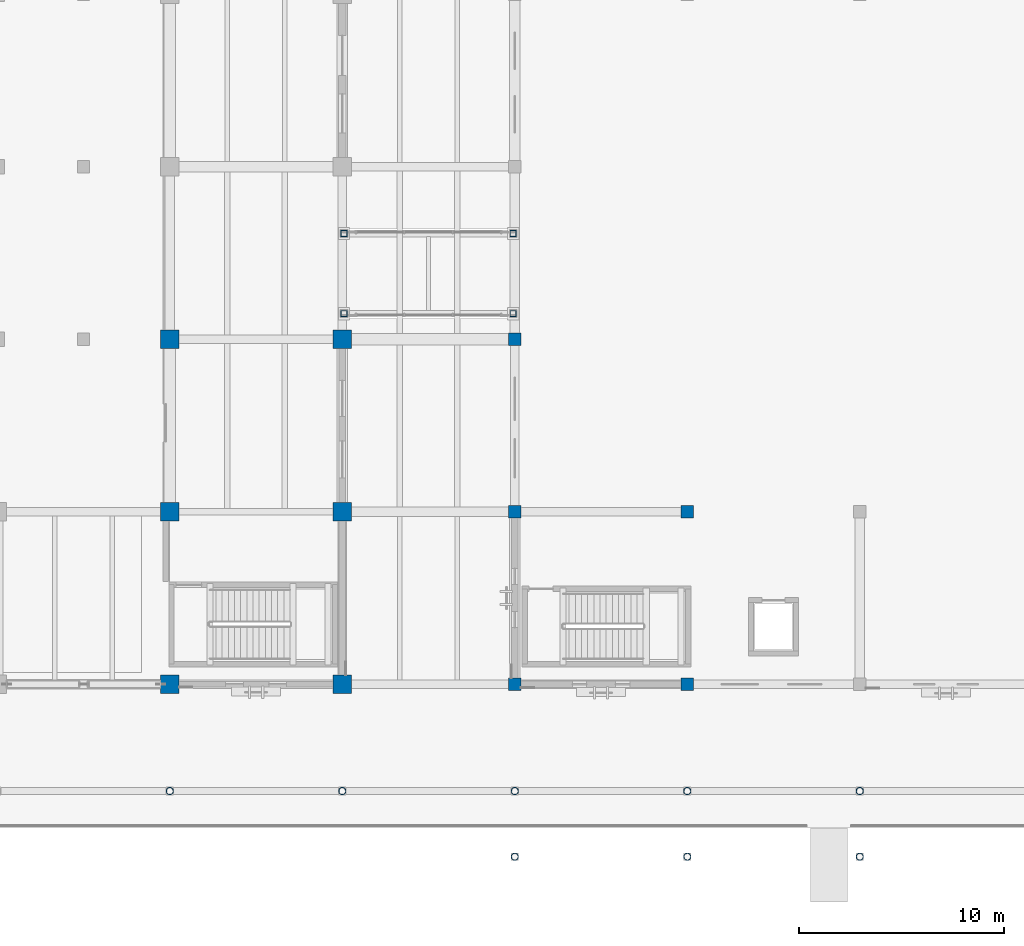
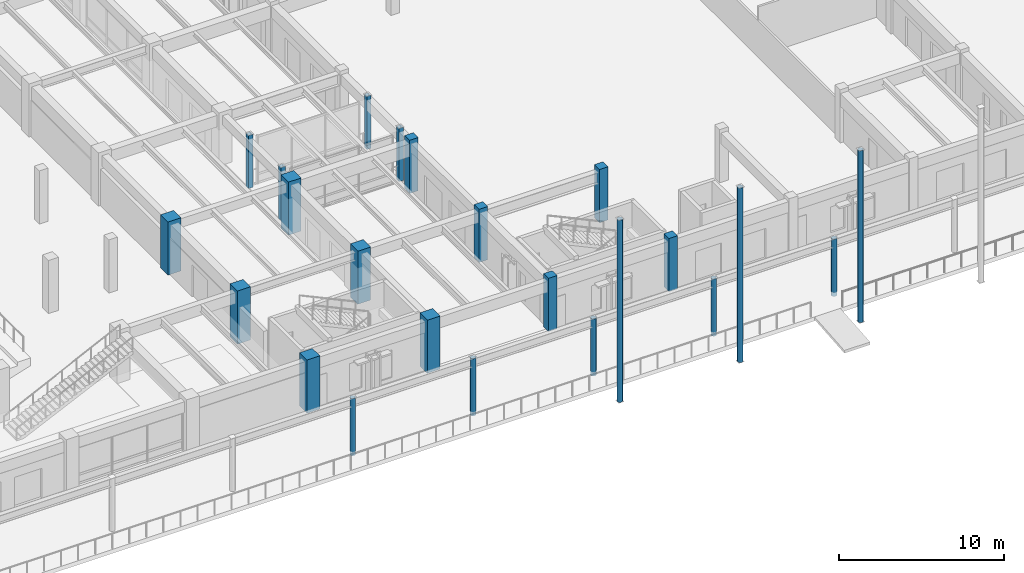
# One storey, part 5 of 135: 23 columns.
"""IFC4 building model written with IfcOpenShell, lengths in metres."""

import ifcopenshell
import ifcopenshell.guid

model = None  # the IFC model being written
_history = None  # IfcOwnerHistory: only IFC2X3 demands one
_inside = {}  # id of a spatial element -> (the spatial element, [elements in it])
_under = {}  # id of a project, library or spatial element -> (it, [spatial elements below it])
_declared = {}  # id of a project -> (the project, [libraries it declares])
_typed = {}  # id of a type object -> (the type object, [elements of that type])
_made_of = {}  # id of a material, layer set ... -> (it, [elements and type objects made of it])


def new_model(schema):
    """Start an empty IFC model of exactly this schema.

    Asked for "IFC4X3", IfcOpenShell would pick the latest addendum, in which some entities
    have other attributes; the version numbers below select the first issue.
    IFC2X3 requires an IfcOwnerHistory on every rooted entity: one is made here for all.
    """
    global model, _history
    if schema == "IFC4X3":
        model = ifcopenshell.file(schema_version=(4, 3, 0, 0))
    else:
        model = ifcopenshell.file(schema=schema)
    _inside.clear()
    _under.clear()
    _declared.clear()
    _typed.clear()
    _made_of.clear()
    _history = None
    if model.schema == "IFC2X3":
        org = make("IfcOrganization", Name="unknown")
        user = make(
            "IfcPersonAndOrganization",
            ThePerson=make("IfcPerson", FamilyName="unknown"),
            TheOrganization=org,
        )
        app = make(
            "IfcApplication",
            ApplicationDeveloper=org,
            Version="unknown",
            ApplicationFullName="unknown",
            ApplicationIdentifier="unknown",
        )
        _history = make(
            "IfcOwnerHistory",
            OwningUser=user,
            OwningApplication=app,
            ChangeAction="ADDED",
            CreationDate=0,
        )
    return model


def make(cls, **values):
    """One entity of the class cls with the attributes given. An attribute that is None is left unset."""
    return model.create_entity(
        cls, **{name: value for name, value in values.items() if value is not None}
    )


def rooted(cls, **values):
    """An entity with a GlobalId (a new one), such as an element, a storey or a relation."""
    return make(cls, GlobalId=ifcopenshell.guid.new(), OwnerHistory=_history, **values)


def si_unit(unit_type, name, prefix=None):
    """IfcSIUnit, for example si_unit("LENGTHUNIT", "METRE", prefix="MILLI")."""
    return make("IfcSIUnit", UnitType=unit_type, Prefix=prefix, Name=name)


def assignment(units):
    """IfcUnitAssignment: the units of a project."""
    return None if units is None else make("IfcUnitAssignment", Units=units)


def point(xyz):
    """IfcCartesianPoint."""
    return None if xyz is None else make("IfcCartesianPoint", Coordinates=xyz)


def direction(xyz):
    """IfcDirection."""
    return None if xyz is None else make("IfcDirection", DirectionRatios=xyz)


def frame(location, z_axis=None, x_axis=None):
    """IfcAxis2Placement3D, a coordinate frame: its origin and axes. An axis left out is left unset."""
    return make(
        "IfcAxis2Placement3D",
        Location=point(location),
        Axis=direction(z_axis),
        RefDirection=direction(x_axis),
    )


def frame_2d(location, x_axis=None):
    """IfcAxis2Placement2D, a coordinate frame in the plane: its origin and x axis."""
    return make(
        "IfcAxis2Placement2D", Location=point(location), RefDirection=direction(x_axis)
    )


def origin():
    """The frame at (0, 0, 0) with its axes left unset."""
    return frame((0.0, 0.0, 0.0))


def origin_2d():
    """The frame at (0, 0) in the plane with its x axis left unset."""
    return frame_2d((0.0, 0.0))


def place(relative_to, where):
    """IfcLocalPlacement: puts the frame where relative to a parent placement (None: the world)."""
    return make(
        "IfcLocalPlacement", PlacementRelTo=relative_to, RelativePlacement=where
    )


def context(
    kind, dimensions, precision=None, world=None, true_north=None, identifier=None
):
    """IfcGeometricRepresentationContext, for example the 3D "Model" context."""
    return make(
        "IfcGeometricRepresentationContext",
        ContextIdentifier=identifier,
        ContextType=kind,
        CoordinateSpaceDimension=dimensions,
        Precision=precision,
        WorldCoordinateSystem=world,
        TrueNorth=true_north,
    )


def subcontext(parent, identifier, kind, view, scale=None):
    """IfcGeometricRepresentationSubContext, for example "Body" below "Model"."""
    return make(
        "IfcGeometricRepresentationSubContext",
        ContextIdentifier=identifier,
        ContextType=kind,
        ParentContext=parent,
        TargetScale=scale,
        TargetView=view,
    )


def project(units=None, contexts=None):
    """IfcProject with its units and contexts."""
    return rooted(
        "IfcProject",
        Name="project",
        RepresentationContexts=contexts,
        UnitsInContext=assignment(units),
    )


def spatial(cls, under=None, at=None, **own):
    """A site, building, storey or space (cls), placed at a placement, below another one or the project."""
    s = rooted(cls, ObjectPlacement=at, **own)
    if under is not None:
        _under.setdefault(under.id(), (under, []))[1].append(s)
    return s


def profile(cls, at=None, kind="AREA", **sizes):
    """A parametric profile (cls). Its sizes go by their IFC names, for example OverallWidth=200.0."""
    return make(cls, ProfileType=kind, Position=at, **sizes)


def rectangle(**sizes):
    """IfcRectangleProfileDef."""
    return profile("IfcRectangleProfileDef", **sizes)


def hollow_rectangle(**sizes):
    """IfcRectangleHollowProfileDef."""
    return profile("IfcRectangleHollowProfileDef", **sizes)


def hollow_circle(**sizes):
    """IfcCircleHollowProfileDef."""
    return profile("IfcCircleHollowProfileDef", **sizes)


def extrude(swept, where, along, depth):
    """IfcExtrudedAreaSolid: the profile swept, set in the frame where, extruded along a direction by depth."""
    return make(
        "IfcExtrudedAreaSolid",
        SweptArea=swept,
        Position=where,
        ExtrudedDirection=direction(along),
        Depth=depth,
    )


def shape(context_of_items, identifier, shape_type, items):
    """IfcShapeRepresentation: the items that make up one representation, for example the "Body"."""
    return make(
        "IfcShapeRepresentation",
        ContextOfItems=context_of_items,
        RepresentationIdentifier=identifier,
        RepresentationType=shape_type,
        Items=items,
    )


def material(Name=None, Category=None):
    """IfcMaterial."""
    return make("IfcMaterial", Name=Name, Category=Category)


def material_profile(
    of_material, cross_section, Name=None, Category=None, Priority=None
):
    """IfcMaterialProfile: a cross section and its material."""
    return make(
        "IfcMaterialProfile",
        Name=Name,
        Material=of_material,
        Profile=cross_section,
        Priority=Priority,
        Category=Category,
    )


def profile_set(profiles, Name=None, composite=None):
    """IfcMaterialProfileSet."""
    return make(
        "IfcMaterialProfileSet",
        Name=Name,
        MaterialProfiles=profiles,
        CompositeProfile=composite,
    )


def made_of(thing, what):
    """Note that an element or type object is made of a material, layer set ...; save() writes the relation."""
    if what is not None:
        _made_of.setdefault(what.id(), (what, []))[1].append(thing)
    return thing


def type_object(cls, material=None, **own):
    """A type object (cls), such as IfcWallType, which elements share."""
    return made_of(rooted(cls, **own), material)


def element(
    cls,
    number,
    at=None,
    inside=None,
    cuts=None,
    type_object=None,
    material=None,
    context=None,
    identifier="Body",
    shape_type=None,
    held_by="IfcProductDefinitionShape",
    body=None,
    shapes=None,
    **own,
):
    """One element of the class cls, such as IfcWall. Its Tag is "e" and its number.

    at: its placement. inside: the storey or other place that contains it. cuts: it is an
    opening in that element (IfcRelVoidsElement). A single representation is given by context,
    identifier, shape_type and body (its items); several are given by shapes. held_by: the class
    of the entity that holds the representations. save() writes the other relations.
    """
    e = rooted(cls, Tag="e%d" % number, ObjectPlacement=at, **own)
    if body is not None:
        shapes = [shape(context, identifier, shape_type, body)]
    if shapes is not None:
        e.Representation = make(held_by, Representations=shapes)
    if inside is not None:
        _inside.setdefault(inside.id(), (inside, []))[1].append(e)
    if cuts is not None:
        rooted(
            "IfcRelVoidsElement", RelatingBuildingElement=cuts, RelatedOpeningElement=e
        )
    if type_object is not None:
        _typed.setdefault(type_object.id(), (type_object, []))[1].append(e)
    return made_of(e, material)


def aggregate(whole, parts):
    """IfcRelAggregates: a whole, such as a stair, and the parts it consists of."""
    return rooted("IfcRelAggregates", RelatingObject=whole, RelatedObjects=parts)


def save(model, path):
    """Write the relations noted so far, then the file.

    IfcRelAggregates (storeys below a building ...), IfcRelContainedInSpatialStructure (elements
    in a storey), IfcRelDefinesByType, IfcRelAssociatesMaterial and IfcRelDeclares: one each for
    every whole, place, type object, material and project.
    """
    for whole, parts in _under.values():
        aggregate(whole, parts)
    for where, things in _inside.values():
        rooted(
            "IfcRelContainedInSpatialStructure",
            RelatedElements=things,
            RelatingStructure=where,
        )
    for kind, things in _typed.values():
        rooted("IfcRelDefinesByType", RelatedObjects=things, RelatingType=kind)
    for what, things in _made_of.values():
        rooted("IfcRelAssociatesMaterial", RelatedObjects=things, RelatingMaterial=what)
    for by, libraries in _declared.values():
        rooted("IfcRelDeclares", RelatingContext=by, RelatedDefinitions=libraries)
    model.write(path)


model = new_model("IFC4")

# Units and contexts
model_context = context("Model", 3, precision=1e-05, world=origin(), true_north=direction((0.0, 1.0)))
body_context = subcontext(model_context, "Body", "Model", "MODEL_VIEW")
ifc_project = project(units=[si_unit("LENGTHUNIT", "METRE"), si_unit("AREAUNIT", "SQUARE_METRE"), si_unit("VOLUMEUNIT", "CUBIC_METRE"), si_unit("PLANEANGLEUNIT", "RADIAN"), si_unit("MASSUNIT", "GRAM", prefix="KILO")], contexts=[model_context])

# Site, building, storey
site_placement = place(None, origin())
site = spatial("IfcSite", under=ifc_project, at=site_placement, CompositionType="ELEMENT")
building_placement = place(site_placement, origin())
building = spatial("IfcBuilding", under=site, at=building_placement, Name="Cumbredor Promenade Congress Hotel", CompositionType="ELEMENT")
storey_placement = place(building_placement, origin())
storey = spatial("IfcBuildingStorey", under=building, at=storey_placement, Name="L00", CompositionType="ELEMENT", Elevation=0.0)

# Columns
ifc_material_1 = material(Name="Concrete C40/50", Category="concrete")
ifc_material_profile_1 = material_profile(ifc_material_1, rectangle(XDim=0.60009765625, YDim=0.60009765625, at=origin_2d()), Name="RC 600x600")
ifc_profile_set_1 = profile_set([ifc_material_profile_1], Name="Concrete C40/50")
column_type_1 = type_object("IfcColumnType", Name="COL-RC-600", PredefinedType="COLUMN", material=ifc_profile_set_1)
for number, where, z_axis, x_axis, name in (
    (1, (75.60009765625, 8.39990234375, 0.0), (0.0, 0.0, 1.0), (1.0, 0.0, 0.0), "L00 Structural Column 091"),
    (2, (75.60009765625, 16.800048828125, 0.0), (0.0, 0.0, 1.0), (1.0, 0.0, 0.0), "L00 Structural Column 092"),
    (3, (75.60009765625, 25.199951171875, 0.0), (0.0, 0.0, 1.0), (1.0, 0.0, 0.0), "L00 Structural Column 093"),
    (4, (84.0, 8.39990234375, 0.0), (0.0, 0.0, 1.0), (1.0, 0.0, 0.0), "L00 Structural Column 102"),
    (5, (84.0, 16.800048828125, 0.0), (0.0, 0.0, 1.0), (1.0, 0.0, 0.0), "L00 Structural Column 103"),
):
    element("IfcColumn", number, at=place(storey_placement, frame(where, z_axis=z_axis, x_axis=x_axis)), inside=storey, type_object=column_type_1, Name=name, PredefinedType="COLUMN", context=body_context, shape_type="SweptSolid", body=[
        extrude(rectangle(XDim=0.60009765625, YDim=0.60009765625, at=origin_2d()), origin(), (0.0, 0.0, 1.0), 3.919921875),
    ])
ifc_material_2 = material(Name="Concrete C50/60", Category="concrete")
ifc_material_profile_2 = material_profile(ifc_material_2, rectangle(XDim=0.89990234375, YDim=0.89990234375, at=origin_2d()), Name="RC 900x900")
ifc_profile_set_2 = profile_set([ifc_material_profile_2], Name="Concrete C50/60")
column_type_2 = type_object("IfcColumnType", Name="COL-RC-900", PredefinedType="COLUMN", material=ifc_profile_set_2)
for number, where, z_axis, x_axis, name in (
    (6, (58.800048828125, 8.39990234375, 0.0), (0.0, 0.0, 1.0), (1.0, 0.0, 0.0), "L00 Structural Column 065"),
    (7, (58.800048828125, 16.800048828125, 0.0), (0.0, 0.0, 1.0), (1.0, 0.0, 0.0), "L00 Structural Column 066"),
    (8, (58.800048828125, 25.199951171875, 0.0), (0.0, 0.0, 1.0), (1.0, 0.0, 0.0), "L00 Structural Column 067"),
    (9, (67.199951171875, 8.39990234375, 0.0), (0.0, 0.0, 1.0), (1.0, 0.0, 0.0), "L00 Structural Column 078"),
    (10, (67.199951171875, 16.800048828125, 0.0), (0.0, 0.0, 1.0), (1.0, 0.0, 0.0), "L00 Structural Column 079"),
    (11, (67.199951171875, 25.199951171875, 0.0), (0.0, 0.0, 1.0), (1.0, 0.0, 0.0), "L00 Structural Column 080"),
):
    element("IfcColumn", number, at=place(storey_placement, frame(where, z_axis=z_axis, x_axis=x_axis)), inside=storey, type_object=column_type_2, Name=name, PredefinedType="COLUMN", context=body_context, shape_type="SweptSolid", body=[
        extrude(rectangle(XDim=0.89990234375, YDim=0.89990234375, at=origin_2d()), origin(), (0.0, 0.0, 1.0), 3.919921875),
    ])
ifc_material_3 = material(Name="Steel ASTM A500 Grade C", Category="steel")
ifc_material_profile_3 = material_profile(ifc_material_3, hollow_circle(Radius=0.177734375, WallThickness=0.01611328125, at=origin_2d()), Name="CHS 355.6x16")
ifc_profile_set_3 = profile_set([ifc_material_profile_3], Name="Steel ASTM A500 Grade C")
column_type_3 = type_object("IfcColumnType", Name="COL-STL-CHS355", PredefinedType="COLUMN", material=ifc_profile_set_3)
for number, where, z_axis, x_axis, name in (
    (12, (58.800048828125, 3.199951171875, -0.300048828125), (0.0, 0.0, 1.0), (1.0, 0.0, 0.0), "Promenade Colonnade Column TC-015"),
    (13, (67.199951171875, 3.199951171875, -0.300048828125), (0.0, 0.0, 1.0), (1.0, 0.0, 0.0), "Promenade Colonnade Column TC-016"),
    (14, (75.60009765625, 3.199951171875, -0.300048828125), (0.0, 0.0, 1.0), (1.0, 0.0, 0.0), "Promenade Colonnade Column TC-017"),
    (15, (84.0, 3.199951171875, -0.300048828125), (0.0, 0.0, 1.0), (1.0, 0.0, 0.0), "Promenade Colonnade Column TC-018"),
    (16, (92.39990234375, 3.199951171875, -0.300048828125), (0.0, 0.0, 1.0), (1.0, 0.0, 0.0), "Promenade Colonnade Column TC-019"),
):
    element("IfcColumn", number, at=place(storey_placement, frame(where, z_axis=z_axis, x_axis=x_axis)), inside=storey, type_object=column_type_3, Name=name, PredefinedType="COLUMN", context=body_context, shape_type="SweptSolid", body=[
        extrude(hollow_circle(Radius=0.177734375, WallThickness=0.01611328125, at=origin_2d()), origin(), (0.0, 0.0, 1.0), 4.219970703125),
    ])
column_1_placement = place(storey_placement, frame((75.60009765625, 0.0, -0.300048828125), z_axis=(0.0, 0.0, 1.0), x_axis=(1.0, 0.0, 0.0)))
element("IfcColumn", 17, at=column_1_placement, inside=storey, type_object=column_type_3, Name="Thermal Spa and Hydrotherapy Pavilion Slim Overhang Pavilion Column 01", PredefinedType="COLUMN", context=body_context, shape_type="SweptSolid", body=[
    extrude(hollow_circle(Radius=0.177734375, WallThickness=0.01611328125, at=origin_2d()), origin(), (0.0, 0.0, 1.0), 13.451171875),
])
column_2_placement = place(storey_placement, frame((84.0, 0.0, -0.300048828125), z_axis=(0.0, 0.0, 1.0), x_axis=(1.0, 0.0, 0.0)))
element("IfcColumn", 18, at=column_2_placement, inside=storey, type_object=column_type_3, Name="Thermal Spa and Hydrotherapy Pavilion Slim Overhang Pavilion Column 02", PredefinedType="COLUMN", context=body_context, shape_type="SweptSolid", body=[
    extrude(hollow_circle(Radius=0.177734375, WallThickness=0.01611328125, at=origin_2d()), origin(), (0.0, 0.0, 1.0), 12.88037109375),
])
column_3_placement = place(storey_placement, frame((92.39990234375, 0.0, -0.300048828125), z_axis=(0.0, 0.0, 1.0), x_axis=(1.0, 0.0, 0.0)))
element("IfcColumn", 19, at=column_3_placement, inside=storey, type_object=column_type_3, Name="Thermal Spa and Hydrotherapy Pavilion Slim Overhang Pavilion Column 03", PredefinedType="COLUMN", context=body_context, shape_type="SweptSolid", body=[
    extrude(hollow_circle(Radius=0.177734375, WallThickness=0.01611328125, at=origin_2d()), origin(), (0.0, 0.0, 1.0), 12.68994140625),
])
ifc_material_profile_4 = material_profile(ifc_material_3, hollow_rectangle(XDim=0.300048828125, YDim=0.300048828125, WallThickness=0.01611328125, at=origin_2d()), Name="HSS 300x300x16")
ifc_profile_set_4 = profile_set([ifc_material_profile_4], Name="Steel ASTM A500 Grade C")
column_type_4 = type_object("IfcColumnType", Name="COL-STL-HSS300", PredefinedType="COLUMN", material=ifc_profile_set_4)
for number, where, z_axis, x_axis, name in (
    (20, (67.280029296875, 26.449951171875, 0.0), (0.0, 0.0, 1.0), (1.0, 0.0, 0.0), "L00 Central Plenary-to-Spa Pool Bridge Support Column 1"),
    (21, (67.280029296875, 30.35009765625, 0.0), (0.0, 0.0, 1.0), (1.0, 0.0, 0.0), "L00 Central Plenary-to-Spa Pool Bridge Support Column 2"),
    (22, (75.52001953125, 26.449951171875, 0.0), (0.0, 0.0, 1.0), (1.0, 0.0, 0.0), "L00 Central Plenary-to-Spa Pool Bridge Support Column 3"),
    (23, (75.52001953125, 30.35009765625, 0.0), (0.0, 0.0, 1.0), (1.0, 0.0, 0.0), "L00 Central Plenary-to-Spa Pool Bridge Support Column 4"),
):
    element("IfcColumn", number, at=place(storey_placement, frame(where, z_axis=z_axis, x_axis=x_axis)), inside=storey, type_object=column_type_4, Name=name, PredefinedType="COLUMN", context=body_context, shape_type="SweptSolid", body=[
        extrude(hollow_rectangle(XDim=0.300048828125, YDim=0.300048828125, WallThickness=0.01611328125, at=origin_2d()), origin(), (0.0, 0.0, 1.0), 3.919921875),
    ])

save(model, "model.ifc")
